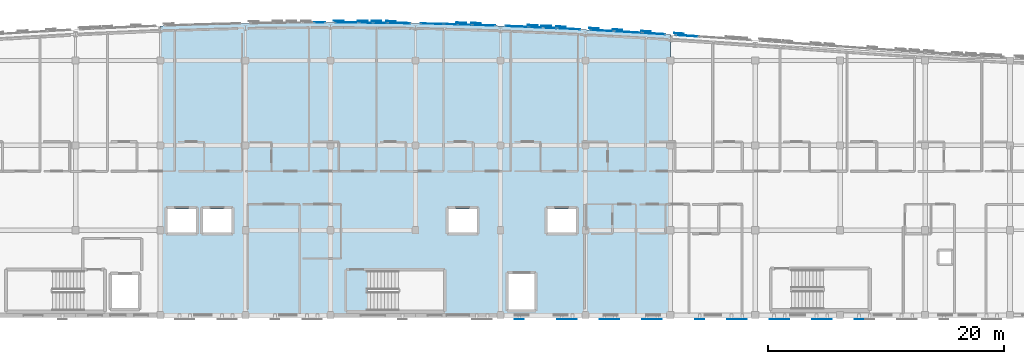
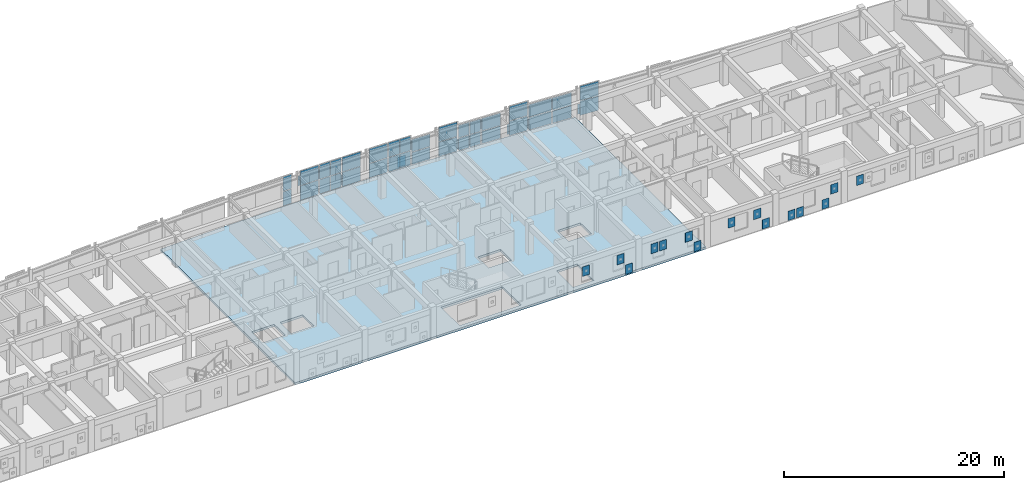
# One storey, part 35 of 51: 62 plates, 1 slab, 14 elements without a shape of their own.
"""IFC4 building model written with IfcOpenShell, lengths in metres."""

from ifc_helpers import new_model, si_unit, direction, frame, origin, origin_2d, place, context, subcontext, project, spatial, polyline, rectangle, outline, extrude, material, layer, layer_set, type_object, element, aggregate, save


model = new_model("IFC4")

# Units and contexts
model_context = context("Model", 3, precision=1e-05, world=origin(), true_north=direction((0.0, 1.0)))
body_context = subcontext(model_context, "Body", "Model", "MODEL_VIEW")
ifc_project = project(units=[si_unit("LENGTHUNIT", "METRE"), si_unit("AREAUNIT", "SQUARE_METRE"), si_unit("VOLUMEUNIT", "CUBIC_METRE"), si_unit("PLANEANGLEUNIT", "RADIAN"), si_unit("MASSUNIT", "GRAM", prefix="KILO")], contexts=[model_context])

# Site, building, storey
site_placement = place(None, origin())
site = spatial("IfcSite", under=ifc_project, at=site_placement, CompositionType="ELEMENT")
building_placement = place(site_placement, origin())
building = spatial("IfcBuilding", under=site, at=building_placement, Name="Carrowvane Square Congress Hotel", CompositionType="ELEMENT")
storey_placement = place(building_placement, frame((0.0, 0.0, 30.0)))
storey = spatial("IfcBuildingStorey", under=building, at=storey_placement, Name="L07", CompositionType="ELEMENT", Elevation=30.0)

# Curtain wall, plates
ifc_material_1 = material(Name="Anodised aluminium", Category="aluminium")
ifc_layer_1 = layer(ifc_material_1, 0.197998046875)
ifc_layer_set_1 = layer_set([ifc_layer_1], Name="Anodised aluminium")
curtain_wall_type_1 = type_object("IfcCurtainWallType", Name="CW-SYS-4", PredefinedType="NOTDEFINED", material=ifc_layer_set_1)
curtain_wall_1_placement = place(storey_placement, origin())
curtain_wall_1 = element("IfcCurtainWall", 1, at=curtain_wall_1_placement, inside=storey, type_object=curtain_wall_type_1, Name="L07 unitised curtain wall 435", PredefinedType="NOTDEFINED")
ifc_material_2 = material(Name="Double-glazed low-E glass", Category="glass")
ifc_layer_2 = layer(ifc_material_2, 0.028076171875)
ifc_layer_set_2 = layer_set([ifc_layer_2], Name="Double-glazed low-E glass")
plate_type_1 = type_object("IfcPlateType", Name="CW-PAN-1", PredefinedType="CURTAIN_PANEL", material=ifc_layer_set_2)
plate_1_placement = place(storey_placement, frame((106.59619140625, 116.498291015625, 0.06982421875), z_axis=(0.0, 0.0, 1.0), x_axis=(0.99974644475, -0.022517686606, 0.0)))
plate_1 = element("IfcPlate", 2, at=plate_1_placement, type_object=plate_type_1, Name="CW-4 panel 1.1", PredefinedType="CURTAIN_PANEL", context=body_context, shape_type="SweptSolid", body=[
    extrude(rectangle(XDim=1.8681640625, YDim=0.028076171875, at=origin_2d()), origin(), (0.0, 0.0, 1.0), 1.574951171875),
])
plate_2_placement = place(storey_placement, frame((106.59619140625, 116.498291015625, 1.71484375), z_axis=(0.0, 0.0, 1.0), x_axis=(0.99974644475, -0.022517686606, 0.0)))
plate_2 = element("IfcPlate", 3, at=plate_2_placement, type_object=plate_type_1, Name="CW-4 panel 1.2", PredefinedType="CURTAIN_PANEL", context=body_context, shape_type="SweptSolid", body=[
    extrude(rectangle(XDim=1.8681640625, YDim=0.028076171875, at=origin_2d()), origin(), (0.0, 0.0, 1.0), 1.574951171875),
])
aggregate(curtain_wall_1, [plate_1, plate_2])

ifc_material_3 = material(Name="Anodised aluminium", Category="aluminium")
ifc_layer_3 = layer(ifc_material_3, 0.162109375)
ifc_layer_set_3 = layer_set([ifc_layer_3], Name="Anodised aluminium")
curtain_wall_type_2 = type_object("IfcCurtainWallType", Name="CW-SYS-1", PredefinedType="NOTDEFINED", material=ifc_layer_set_3)
curtain_wall_2_placement = place(storey_placement, origin())
curtain_wall_2 = element("IfcCurtainWall", 4, at=curtain_wall_2_placement, inside=storey, type_object=curtain_wall_type_2, Name="L07 unitised curtain wall 440", PredefinedType="NOTDEFINED")
plate_3_placement = place(storey_placement, frame((118.2177734375, 116.067138671875, 0.06005859375), z_axis=(0.0, 0.0, 1.0), x_axis=(0.998732955299, -0.050323791596, 0.0)))
plate_3 = element("IfcPlate", 5, at=plate_3_placement, type_object=plate_type_1, Name="CW-1 panel 1.1", PredefinedType="CURTAIN_PANEL", context=body_context, shape_type="SweptSolid", body=[
    extrude(rectangle(XDim=1.91796875, YDim=0.028076171875, at=origin_2d()), origin(), (0.0, 0.0, 1.0), 1.377685546875),
])
plate_4_placement = place(storey_placement, frame((118.2177734375, 116.067138671875, 1.498046875), z_axis=(0.0, 0.0, 1.0), x_axis=(0.998732955299, -0.050323791596, 0.0)))
plate_4 = element("IfcPlate", 6, at=plate_4_placement, type_object=plate_type_1, Name="CW-1 panel 1.2", PredefinedType="CURTAIN_PANEL", context=body_context, shape_type="SweptSolid", body=[
    extrude(rectangle(XDim=1.91796875, YDim=0.028076171875, at=origin_2d()), origin(), (0.0, 0.0, 1.0), 1.377685546875),
])
aggregate(curtain_wall_2, [plate_3, plate_4])

ifc_material_4 = material(Name="Anodised aluminium", Category="aluminium")
ifc_layer_4 = layer(ifc_material_4, 0.24609375)
ifc_layer_set_4 = layer_set([ifc_layer_4], Name="Anodised aluminium")
curtain_wall_type_3 = type_object("IfcCurtainWallType", Name="CW-SYS-8", PredefinedType="NOTDEFINED", material=ifc_layer_set_4)
curtain_wall_3_placement = place(storey_placement, origin())
curtain_wall_3 = element("IfcCurtainWall", 7, at=curtain_wall_3_placement, inside=storey, type_object=curtain_wall_type_3, Name="L07 unitised curtain wall 431", PredefinedType="NOTDEFINED")
ifc_material_5 = material(Name="Double-glazed low-E glass", Category="glass")
ifc_layer_5 = layer(ifc_material_5, 0.031982421875)
ifc_layer_set_5 = layer_set([ifc_layer_5], Name="Double-glazed low-E glass")
plate_type_2 = type_object("IfcPlateType", Name="CW-PAN-2", PredefinedType="CURTAIN_PANEL", material=ifc_layer_set_5)
plate_5_placement = place(storey_placement, frame((97.09375, 116.596923828125, 0.06982421875), z_axis=(0.0, 0.0, 1.0), x_axis=(0.999994652529, 0.003270307911, 0.0)))
plate_5 = element("IfcPlate", 8, at=plate_5_placement, type_object=plate_type_2, Name="CW-8 panel 2.1", PredefinedType="CURTAIN_PANEL", context=body_context, shape_type="SweptSolid", body=[
    extrude(rectangle(XDim=0.902587890625, YDim=0.031982421875, at=origin_2d()), origin(), (0.0, 0.0, 1.0), 1.574951171875),
])
plate_6_placement = place(storey_placement, frame((97.09375, 116.596923828125, 1.71484375), z_axis=(0.0, 0.0, 1.0), x_axis=(0.999994652529, 0.003270307911, 0.0)))
plate_6 = element("IfcPlate", 9, at=plate_6_placement, type_object=plate_type_2, Name="CW-8 panel 2.2", PredefinedType="CURTAIN_PANEL", context=body_context, shape_type="SweptSolid", body=[
    extrude(rectangle(XDim=0.902587890625, YDim=0.031982421875, at=origin_2d()), origin(), (0.0, 0.0, 1.0), 1.574951171875),
])
aggregate(curtain_wall_3, [plate_5, plate_6])

ifc_material_6 = material(Name="Anodised aluminium", Category="aluminium")
ifc_layer_6 = layer(ifc_material_6, 0.2099609375)
ifc_layer_set_6 = layer_set([ifc_layer_6], Name="Anodised aluminium")
curtain_wall_type_4 = type_object("IfcCurtainWallType", Name="CW-SYS-5", PredefinedType="NOTDEFINED", material=ifc_layer_set_6)
curtain_wall_4_placement = place(storey_placement, origin())
curtain_wall_4 = element("IfcCurtainWall", 10, at=curtain_wall_4_placement, inside=storey, type_object=curtain_wall_type_4, Name="L07 unitised curtain wall 436", PredefinedType="NOTDEFINED")
plate_7_placement = place(storey_placement, frame((108.215087890625, 116.4580078125, 0.06005859375), z_axis=(0.0, 0.0, 1.0), x_axis=(0.999589848065, -0.028638010501, 0.0)))
plate_7 = element("IfcPlate", 11, at=plate_7_placement, type_object=plate_type_2, Name="CW-5 panel 1.1", PredefinedType="CURTAIN_PANEL", context=body_context, shape_type="SweptSolid", body=[
    extrude(rectangle(XDim=1.110595703125, YDim=0.031982421875, at=origin_2d()), origin(), (0.0, 0.0, 1.0), 1.590087890625),
])
plate_8_placement = place(storey_placement, frame((108.215087890625, 116.4580078125, 1.7099609375), z_axis=(0.0, 0.0, 1.0), x_axis=(0.999589848065, -0.028638010501, 0.0)))
plate_8 = element("IfcPlate", 12, at=plate_8_placement, type_object=plate_type_2, Name="CW-5 panel 1.2", PredefinedType="CURTAIN_PANEL", context=body_context, shape_type="SweptSolid", body=[
    extrude(rectangle(XDim=1.110595703125, YDim=0.031982421875, at=origin_2d()), origin(), (0.0, 0.0, 1.0), 1.590087890625),
])
plate_9_placement = place(storey_placement, frame((109.385009765625, 116.424560546875, 0.06005859375), z_axis=(0.0, 0.0, 1.0), x_axis=(0.999589848065, -0.028638010501, 0.0)))
plate_9 = element("IfcPlate", 13, at=plate_9_placement, type_object=plate_type_2, Name="CW-5 panel 2.1", PredefinedType="CURTAIN_PANEL", context=body_context, shape_type="SweptSolid", body=[
    extrude(rectangle(XDim=1.110595703125, YDim=0.031982421875, at=origin_2d()), origin(), (0.0, 0.0, 1.0), 1.590087890625),
])
plate_10_placement = place(storey_placement, frame((109.385009765625, 116.424560546875, 1.7099609375), z_axis=(0.0, 0.0, 1.0), x_axis=(0.999589848065, -0.028638010501, 0.0)))
plate_10 = element("IfcPlate", 14, at=plate_10_placement, type_object=plate_type_2, Name="CW-5 panel 2.2", PredefinedType="CURTAIN_PANEL", context=body_context, shape_type="SweptSolid", body=[
    extrude(rectangle(XDim=1.110595703125, YDim=0.031982421875, at=origin_2d()), origin(), (0.0, 0.0, 1.0), 1.590087890625),
])
aggregate(curtain_wall_4, [plate_7, plate_8, plate_9, plate_10])

ifc_material_7 = material(Name="Anodised aluminium", Category="aluminium")
ifc_layer_7 = layer(ifc_material_7, 0.174072265625)
ifc_layer_set_7 = layer_set([ifc_layer_7], Name="Anodised aluminium")
curtain_wall_type_5 = type_object("IfcCurtainWallType", Name="CW-SYS-2", PredefinedType="NOTDEFINED", material=ifc_layer_set_7)
curtain_wall_5_placement = place(storey_placement, origin())
curtain_wall_5 = element("IfcCurtainWall", 15, at=curtain_wall_5_placement, inside=storey, type_object=curtain_wall_type_5, Name="L07 unitised curtain wall 441", PredefinedType="NOTDEFINED")
plate_11_placement = place(storey_placement, frame((121.002197265625, 115.920654296875, 0.06982421875), z_axis=(0.0, 0.0, 1.0), x_axis=(0.998496473856, -0.054815980317, 0.0)))
plate_11 = element("IfcPlate", 16, at=plate_11_placement, type_object=plate_type_2, Name="CW-2 panel 1.1", PredefinedType="CURTAIN_PANEL", context=body_context, shape_type="SweptSolid", body=[
    extrude(rectangle(XDim=1.8583984375, YDim=0.031982421875, at=origin_2d()), origin(), (0.0, 0.0, 1.0), 1.574951171875),
])
plate_12_placement = place(storey_placement, frame((121.002197265625, 115.920654296875, 1.71484375), z_axis=(0.0, 0.0, 1.0), x_axis=(0.998496473856, -0.054815980317, 0.0)))
plate_12 = element("IfcPlate", 17, at=plate_12_placement, type_object=plate_type_2, Name="CW-2 panel 1.2", PredefinedType="CURTAIN_PANEL", context=body_context, shape_type="SweptSolid", body=[
    extrude(rectangle(XDim=1.8583984375, YDim=0.031982421875, at=origin_2d()), origin(), (0.0, 0.0, 1.0), 1.574951171875),
])
aggregate(curtain_wall_5, [plate_11, plate_12])

curtain_wall_6_placement = place(storey_placement, origin())
curtain_wall_6 = element("IfcCurtainWall", 18, at=curtain_wall_6_placement, inside=storey, type_object=curtain_wall_type_2, Name="L07 unitised curtain wall 432", PredefinedType="NOTDEFINED")
ifc_material_8 = material(Name="Double-glazed low-E glass", Category="glass")
ifc_layer_8 = layer(ifc_material_8, 0.035888671875)
ifc_layer_set_8 = layer_set([ifc_layer_8], Name="Double-glazed low-E glass")
plate_type_3 = type_object("IfcPlateType", Name="CW-PAN-3", PredefinedType="CURTAIN_PANEL", material=ifc_layer_set_8)
plate_13_placement = place(storey_placement, frame((99.392333984375, 116.595458984375, 0.06005859375), z_axis=(0.0, 0.0, 1.0), x_axis=(0.999994652529, -0.003270307911, 0.0)))
plate_13 = element("IfcPlate", 19, at=plate_13_placement, type_object=plate_type_3, Name="CW-1 panel 1.1", PredefinedType="CURTAIN_PANEL", context=body_context, shape_type="SweptSolid", body=[
    extrude(rectangle(XDim=1.89501953125, YDim=0.035888671875, at=origin_2d()), origin(), (0.0, 0.0, 1.0), 1.590087890625),
])
plate_14_placement = place(storey_placement, frame((99.392333984375, 116.595458984375, 1.7099609375), z_axis=(0.0, 0.0, 1.0), x_axis=(0.999994652529, -0.003270307911, 0.0)))
plate_14 = element("IfcPlate", 20, at=plate_14_placement, type_object=plate_type_3, Name="CW-1 panel 1.2", PredefinedType="CURTAIN_PANEL", context=body_context, shape_type="SweptSolid", body=[
    extrude(rectangle(XDim=1.89501953125, YDim=0.035888671875, at=origin_2d()), origin(), (0.0, 0.0, 1.0), 1.590087890625),
])
aggregate(curtain_wall_6, [plate_13, plate_14])

ifc_material_9 = material(Name="Anodised aluminium", Category="aluminium")
ifc_layer_9 = layer(ifc_material_9, 0.221923828125)
ifc_layer_set_9 = layer_set([ifc_layer_9], Name="Anodised aluminium")
curtain_wall_type_6 = type_object("IfcCurtainWallType", Name="CW-SYS-6", PredefinedType="NOTDEFINED", material=ifc_layer_set_9)
curtain_wall_7_placement = place(storey_placement, origin())
curtain_wall_7 = element("IfcCurtainWall", 21, at=curtain_wall_7_placement, inside=storey, type_object=curtain_wall_type_6, Name="L07 unitised curtain wall 437", PredefinedType="NOTDEFINED")
plate_15_placement = place(storey_placement, frame((111.0146484375, 116.371826171875, 0.070068359375), z_axis=(0.0, 0.0, 1.0), x_axis=(0.999403663525, -0.034529948347, 0.0)))
plate_15 = element("IfcPlate", 22, at=plate_15_placement, type_object=plate_type_3, Name="CW-6 panel 1.1", PredefinedType="CURTAIN_PANEL", context=body_context, shape_type="SweptSolid", body=[
    extrude(rectangle(XDim=1.890625, YDim=0.035888671875, at=origin_2d()), origin(), (0.0, 0.0, 1.0), 1.36279296875),
])
plate_16_placement = place(storey_placement, frame((111.0146484375, 116.371826171875, 1.502685546875), z_axis=(0.0, 0.0, 1.0), x_axis=(0.999403663525, -0.034529948347, 0.0)))
plate_16 = element("IfcPlate", 23, at=plate_16_placement, type_object=plate_type_3, Name="CW-6 panel 1.2", PredefinedType="CURTAIN_PANEL", context=body_context, shape_type="SweptSolid", body=[
    extrude(rectangle(XDim=1.890625, YDim=0.035888671875, at=origin_2d()), origin(), (0.0, 0.0, 1.0), 1.36279296875),
])
aggregate(curtain_wall_7, [plate_15, plate_16])

ifc_material_10 = material(Name="Anodised aluminium", Category="aluminium")
ifc_layer_10 = layer(ifc_material_10, 0.18603515625)
ifc_layer_set_10 = layer_set([ifc_layer_10], Name="Anodised aluminium")
curtain_wall_type_7 = type_object("IfcCurtainWallType", Name="CW-SYS-3", PredefinedType="NOTDEFINED", material=ifc_layer_set_10)
curtain_wall_8_placement = place(storey_placement, origin())
curtain_wall_8 = element("IfcCurtainWall", 24, at=curtain_wall_8_placement, inside=storey, type_object=curtain_wall_type_7, Name="L07 unitised curtain wall 442", PredefinedType="NOTDEFINED")
plate_17_placement = place(storey_placement, frame((123.199951171875, 115.795166015625, 0.06005859375), z_axis=(0.0, 0.0, 1.0), x_axis=(0.998266763162, -0.058851249486, 0.0)))
plate_17 = element("IfcPlate", 25, at=plate_17_placement, type_object=plate_type_3, Name="CW-3 panel 1.1", PredefinedType="CURTAIN_PANEL", context=body_context, shape_type="SweptSolid", body=[
    extrude(rectangle(XDim=2.2841796875, YDim=0.035888671875, at=origin_2d()), origin(), (0.0, 0.0, 1.0), 1.377685546875),
])
plate_18_placement = place(storey_placement, frame((123.199951171875, 115.795166015625, 1.498046875), z_axis=(0.0, 0.0, 1.0), x_axis=(0.998266763162, -0.058851249486, 0.0)))
plate_18 = element("IfcPlate", 26, at=plate_18_placement, type_object=plate_type_3, Name="CW-3 panel 1.2", PredefinedType="CURTAIN_PANEL", context=body_context, shape_type="SweptSolid", body=[
    extrude(rectangle(XDim=2.2841796875, YDim=0.035888671875, at=origin_2d()), origin(), (0.0, 0.0, 1.0), 1.377685546875),
])
aggregate(curtain_wall_8, [plate_17, plate_18])

curtain_wall_9_placement = place(storey_placement, origin())
curtain_wall_9 = element("IfcCurtainWall", 27, at=curtain_wall_9_placement, inside=storey, type_object=curtain_wall_type_5, Name="L07 unitised curtain wall 433", PredefinedType="NOTDEFINED")
ifc_material_11 = material(Name="Double-glazed low-E glass", Category="glass")
ifc_layer_11 = layer(ifc_material_11, 0.0419921875)
ifc_layer_set_11 = layer_set([ifc_layer_11], Name="Double-glazed low-E glass")
plate_type_4 = type_object("IfcPlateType", Name="CW-PAN-4", PredefinedType="CURTAIN_PANEL", material=ifc_layer_set_11)
plate_19_placement = place(storey_placement, frame((101.017578125, 116.586181640625, 0.06982421875), z_axis=(0.0, 0.0, 1.0), x_axis=(0.999952146231, -0.009782905924, 0.0)))
plate_19 = element("IfcPlate", 28, at=plate_19_placement, type_object=plate_type_4, Name="CW-2 panel 1.1", PredefinedType="CURTAIN_PANEL", context=body_context, shape_type="SweptSolid", body=[
    extrude(rectangle(XDim=1.094970703125, YDim=0.0419921875, at=origin_2d()), origin(), (0.0, 0.0, 1.0), 1.574951171875),
])
plate_20_placement = place(storey_placement, frame((101.017578125, 116.586181640625, 1.71484375), z_axis=(0.0, 0.0, 1.0), x_axis=(0.999952146231, -0.009782905924, 0.0)))
plate_20 = element("IfcPlate", 29, at=plate_20_placement, type_object=plate_type_4, Name="CW-2 panel 1.2", PredefinedType="CURTAIN_PANEL", context=body_context, shape_type="SweptSolid", body=[
    extrude(rectangle(XDim=1.094970703125, YDim=0.0419921875, at=origin_2d()), origin(), (0.0, 0.0, 1.0), 1.574951171875),
])
plate_21_placement = place(storey_placement, frame((102.182373046875, 116.57470703125, 0.06982421875), z_axis=(0.0, 0.0, 1.0), x_axis=(0.999952146231, -0.009782905924, 0.0)))
plate_21 = element("IfcPlate", 30, at=plate_21_placement, type_object=plate_type_4, Name="CW-2 panel 2.1", PredefinedType="CURTAIN_PANEL", context=body_context, shape_type="SweptSolid", body=[
    extrude(rectangle(XDim=1.094970703125, YDim=0.0419921875, at=origin_2d()), origin(), (0.0, 0.0, 1.0), 1.574951171875),
])
plate_22_placement = place(storey_placement, frame((102.182373046875, 116.57470703125, 1.71484375), z_axis=(0.0, 0.0, 1.0), x_axis=(0.999952146231, -0.009782905924, 0.0)))
plate_22 = element("IfcPlate", 31, at=plate_22_placement, type_object=plate_type_4, Name="CW-2 panel 2.2", PredefinedType="CURTAIN_PANEL", context=body_context, shape_type="SweptSolid", body=[
    extrude(rectangle(XDim=1.094970703125, YDim=0.0419921875, at=origin_2d()), origin(), (0.0, 0.0, 1.0), 1.574951171875),
])
aggregate(curtain_wall_9, [plate_19, plate_20, plate_21, plate_22])

ifc_material_12 = material(Name="Anodised aluminium", Category="aluminium")
ifc_layer_12 = layer(ifc_material_12, 0.23388671875)
ifc_layer_set_12 = layer_set([ifc_layer_12], Name="Anodised aluminium")
curtain_wall_type_8 = type_object("IfcCurtainWallType", Name="CW-SYS-7", PredefinedType="NOTDEFINED", material=ifc_layer_set_12)
curtain_wall_10_placement = place(storey_placement, origin())
curtain_wall_10 = element("IfcCurtainWall", 32, at=curtain_wall_10_placement, inside=storey, type_object=curtain_wall_type_8, Name="L07 unitised curtain wall 438", PredefinedType="NOTDEFINED")
plate_23_placement = place(storey_placement, frame((113.79931640625, 116.267822265625, 0.06005859375), z_axis=(0.0, 0.0, 1.0), x_axis=(0.999194428656, -0.040130957403, 0.0)))
plate_23 = element("IfcPlate", 33, at=plate_23_placement, type_object=plate_type_4, Name="CW-7 panel 1.1", PredefinedType="CURTAIN_PANEL", context=body_context, shape_type="SweptSolid", body=[
    extrude(rectangle(XDim=1.8828125, YDim=0.0419921875, at=origin_2d()), origin(), (0.0, 0.0, 1.0), 1.590087890625),
])
plate_24_placement = place(storey_placement, frame((113.79931640625, 116.267822265625, 1.7099609375), z_axis=(0.0, 0.0, 1.0), x_axis=(0.999194428656, -0.040130957403, 0.0)))
plate_24 = element("IfcPlate", 34, at=plate_24_placement, type_object=plate_type_4, Name="CW-7 panel 1.2", PredefinedType="CURTAIN_PANEL", context=body_context, shape_type="SweptSolid", body=[
    extrude(rectangle(XDim=1.8828125, YDim=0.0419921875, at=origin_2d()), origin(), (0.0, 0.0, 1.0), 1.590087890625),
])
aggregate(curtain_wall_10, [plate_23, plate_24])

curtain_wall_11_placement = place(storey_placement, origin())
curtain_wall_11 = element("IfcCurtainWall", 35, at=curtain_wall_11_placement, inside=storey, type_object=curtain_wall_type_1, Name="L07 unitised curtain wall 443", PredefinedType="NOTDEFINED")
plate_25_placement = place(storey_placement, frame((125.419921875, 115.66064453125, 0.070068359375), z_axis=(0.0, 0.0, 1.0), x_axis=(0.998051398046, -0.062397170272, 0.0)))
plate_25 = element("IfcPlate", 36, at=plate_25_placement, type_object=plate_type_4, Name="CW-4 panel 1.1", PredefinedType="CURTAIN_PANEL", context=body_context, shape_type="SweptSolid", body=[
    extrude(rectangle(XDim=1.904052734375, YDim=0.0419921875, at=origin_2d()), origin(), (0.0, 0.0, 1.0), 1.36279296875),
])
plate_26_placement = place(storey_placement, frame((125.419921875, 115.66064453125, 1.502685546875), z_axis=(0.0, 0.0, 1.0), x_axis=(0.998051398046, -0.062397170272, 0.0)))
plate_26 = element("IfcPlate", 37, at=plate_26_placement, type_object=plate_type_4, Name="CW-4 panel 1.2", PredefinedType="CURTAIN_PANEL", context=body_context, shape_type="SweptSolid", body=[
    extrude(rectangle(XDim=1.904052734375, YDim=0.0419921875, at=origin_2d()), origin(), (0.0, 0.0, 1.0), 1.36279296875),
])
aggregate(curtain_wall_11, [plate_25, plate_26])

curtain_wall_12_placement = place(storey_placement, origin())
curtain_wall_12 = element("IfcCurtainWall", 38, at=curtain_wall_12_placement, inside=storey, type_object=curtain_wall_type_7, Name="L07 unitised curtain wall 434", PredefinedType="NOTDEFINED")
ifc_material_13 = material(Name="Double-glazed low-E glass", Category="glass")
ifc_layer_13 = layer(ifc_material_13, 0.048095703125)
ifc_layer_set_13 = layer_set([ifc_layer_13], Name="Double-glazed low-E glass")
plate_type_5 = type_object("IfcPlateType", Name="CW-PAN-5", PredefinedType="CURTAIN_PANEL", material=ifc_layer_set_13)
plate_27_placement = place(storey_placement, frame((103.811279296875, 116.55224609375, 0.06005859375), z_axis=(0.0, 0.0, 1.0), x_axis=(0.99986851233, -0.016215981364, 0.0)))
plate_27 = element("IfcPlate", 39, at=plate_27_placement, type_object=plate_type_5, Name="CW-3 panel 1.1", PredefinedType="CURTAIN_PANEL", context=body_context, shape_type="SweptSolid", body=[
    extrude(rectangle(XDim=1.902587890625, YDim=0.048095703125, at=origin_2d()), origin(), (0.0, 0.0, 1.0), 1.590087890625),
])
plate_28_placement = place(storey_placement, frame((103.811279296875, 116.55224609375, 1.7099609375), z_axis=(0.0, 0.0, 1.0), x_axis=(0.99986851233, -0.016215981364, 0.0)))
plate_28 = element("IfcPlate", 40, at=plate_28_placement, type_object=plate_type_5, Name="CW-3 panel 1.2", PredefinedType="CURTAIN_PANEL", context=body_context, shape_type="SweptSolid", body=[
    extrude(rectangle(XDim=1.902587890625, YDim=0.048095703125, at=origin_2d()), origin(), (0.0, 0.0, 1.0), 1.590087890625),
])
aggregate(curtain_wall_12, [plate_27, plate_28])

curtain_wall_13_placement = place(storey_placement, origin())
curtain_wall_13 = element("IfcCurtainWall", 41, at=curtain_wall_13_placement, inside=storey, type_object=curtain_wall_type_3, Name="L07 unitised curtain wall 439", PredefinedType="NOTDEFINED")
plate_29_placement = place(storey_placement, frame((115.41748046875, 116.199462890625, 0.070068359375), z_axis=(0.0, 0.0, 1.0), x_axis=(0.998968385726, -0.045411059449, 0.0)))
plate_29 = element("IfcPlate", 42, at=plate_29_placement, type_object=plate_type_5, Name="CW-8 panel 1.1", PredefinedType="CURTAIN_PANEL", context=body_context, shape_type="SweptSolid", body=[
    extrude(rectangle(XDim=1.09619140625, YDim=0.048095703125, at=origin_2d()), origin(), (0.0, 0.0, 1.0), 1.36279296875),
])
plate_30_placement = place(storey_placement, frame((115.41748046875, 116.199462890625, 1.502685546875), z_axis=(0.0, 0.0, 1.0), x_axis=(0.998968385726, -0.045411059449, 0.0)))
plate_30 = element("IfcPlate", 43, at=plate_30_placement, type_object=plate_type_5, Name="CW-8 panel 1.2", PredefinedType="CURTAIN_PANEL", context=body_context, shape_type="SweptSolid", body=[
    extrude(rectangle(XDim=1.09619140625, YDim=0.048095703125, at=origin_2d()), origin(), (0.0, 0.0, 1.0), 1.36279296875),
])
plate_31_placement = place(storey_placement, frame((116.58251953125, 116.146484375, 0.070068359375), z_axis=(0.0, 0.0, 1.0), x_axis=(0.998968385726, -0.045411059449, 0.0)))
plate_31 = element("IfcPlate", 44, at=plate_31_placement, type_object=plate_type_5, Name="CW-8 panel 2.1", PredefinedType="CURTAIN_PANEL", context=body_context, shape_type="SweptSolid", body=[
    extrude(rectangle(XDim=1.09619140625, YDim=0.048095703125, at=origin_2d()), origin(), (0.0, 0.0, 1.0), 1.36279296875),
])
plate_32_placement = place(storey_placement, frame((116.58251953125, 116.146484375, 1.502685546875), z_axis=(0.0, 0.0, 1.0), x_axis=(0.998968385726, -0.045411059449, 0.0)))
plate_32 = element("IfcPlate", 45, at=plate_32_placement, type_object=plate_type_5, Name="CW-8 panel 2.2", PredefinedType="CURTAIN_PANEL", context=body_context, shape_type="SweptSolid", body=[
    extrude(rectangle(XDim=1.09619140625, YDim=0.048095703125, at=origin_2d()), origin(), (0.0, 0.0, 1.0), 1.36279296875),
])
aggregate(curtain_wall_13, [plate_29, plate_30, plate_31, plate_32])

curtain_wall_14_placement = place(storey_placement, origin())
curtain_wall_14 = element("IfcCurtainWall", 46, at=curtain_wall_14_placement, inside=storey, type_object=curtain_wall_type_4, Name="L07 unitised curtain wall 444", PredefinedType="NOTDEFINED")
plate_33_placement = place(storey_placement, frame((128.204345703125, 115.482177734375, 0.06005859375), z_axis=(0.0, 0.0, 1.0), x_axis=(0.9978582145, -0.065413941589, 0.0)))
plate_33 = element("IfcPlate", 47, at=plate_33_placement, type_object=plate_type_5, Name="CW-5 panel 1.1", PredefinedType="CURTAIN_PANEL", context=body_context, shape_type="SweptSolid", body=[
    extrude(rectangle(XDim=1.8759765625, YDim=0.048095703125, at=origin_2d()), origin(), (0.0, 0.0, 1.0), 1.590087890625),
])
plate_34_placement = place(storey_placement, frame((128.204345703125, 115.482177734375, 1.7099609375), z_axis=(0.0, 0.0, 1.0), x_axis=(0.9978582145, -0.065413941589, 0.0)))
plate_34 = element("IfcPlate", 48, at=plate_34_placement, type_object=plate_type_5, Name="CW-5 panel 1.2", PredefinedType="CURTAIN_PANEL", context=body_context, shape_type="SweptSolid", body=[
    extrude(rectangle(XDim=1.8759765625, YDim=0.048095703125, at=origin_2d()), origin(), (0.0, 0.0, 1.0), 1.590087890625),
])
aggregate(curtain_wall_14, [plate_33, plate_34])

# Plates
ifc_material_14 = material(Name="Champagne-gold anodised aluminium", Category="aluminium")
ifc_layer_14 = layer(ifc_material_14, 0.011962890625)
ifc_layer_set_14 = layer_set([ifc_layer_14], Name="Champagne-gold anodised aluminium")
plate_type_6 = type_object("IfcPlateType", Name="PLT-PIX-GOLD12", PredefinedType="SHEET", material=ifc_layer_set_14)
for number, where, z_axis, x_axis, name in (
    (49, (100.726318359375, 116.7548828125, 1.58984375), (0.0, 0.0, 1.0), (0.999952150705, -0.009782448565, 0.0), "Champagne-gold pixel screen plate 667"),
    (50, (101.891357421875, 116.74365234375, 1.58984375), (0.0, 0.0, 1.0), (0.999952150705, -0.009782448565, 0.0), "Champagne-gold pixel screen plate 668"),
    (51, (110.330322265625, 116.5615234375, 1.58984375), (0.0, 0.0, 1.0), (0.999403768784, -0.034526901703, 0.0), "Champagne-gold pixel screen plate 671"),
    (52, (115.132080078125, 116.378662109375, 0.119873046875), (0.0, 0.0, 1.0), (0.998968255262, -0.045413929349, 0.0), "Champagne-gold pixel screen plate 672"),
    (53, (116.297119140625, 116.32568359375, 0.119873046875), (0.0, 0.0, 1.0), (0.998968255262, -0.045413929349, 0.0), "Champagne-gold pixel screen plate 673"),
    (54, (120.337890625, 116.123291015625, 0.119873046875), (0.0, 0.0, 1.0), (0.998496552462, -0.054814548441, 0.0), "Champagne-gold pixel screen plate 675"),
    (55, (124.734619140625, 115.86962890625, 1.58984375), (0.0, 0.0, 1.0), (0.998051413269, -0.062396926785, 0.0), "Champagne-gold pixel screen plate 677"),
):
    element("IfcPlate", number, at=place(storey_placement, frame(where, z_axis=z_axis, x_axis=x_axis)), inside=storey, type_object=plate_type_6, Name=name, PredefinedType="SHEET", context=body_context, shape_type="SweptSolid", body=[
        extrude(rectangle(XDim=0.827880859375, YDim=0.011962890625, at=origin_2d()), origin(), (0.0, 0.0, 1.0), 1.1201171875),
    ])
for number, where, z_axis, x_axis, name in (
    (56, (140.10009765625, 91.4541015625, 1.52490234375), (0.0, 0.0, 1.0), (-1.0, 0.0, 0.0), "Champagne-gold pixel screen plate S-710"),
    (57, (139.199951171875, 91.4541015625, 0.15478515625), (0.0, 0.0, 1.0), (-1.0, 0.0, 0.0), "Champagne-gold pixel screen plate S-711"),
    (58, (136.5, 91.4541015625, 0.15478515625), (0.0, 0.0, 1.0), (-1.0, 0.0, 0.0), "Champagne-gold pixel screen plate S-712"),
    (59, (135.60009765625, 91.4541015625, 0.15478515625), (0.0, 0.0, 1.0), (-1.0, 0.0, 0.0), "Champagne-gold pixel screen plate S-713"),
    (60, (125.699951171875, 91.4541015625, 0.15478515625), (0.0, 0.0, 1.0), (-1.0, 0.0, 0.0), "Champagne-gold pixel screen plate S-717"),
    (61, (124.800048828125, 91.4541015625, 1.52490234375), (0.0, 0.0, 1.0), (-1.0, 0.0, 0.0), "Champagne-gold pixel screen plate S-718"),
    (62, (122.10009765625, 91.4541015625, 1.52490234375), (0.0, 0.0, 1.0), (-1.0, 0.0, 0.0), "Champagne-gold pixel screen plate S-719"),
    (63, (121.199951171875, 91.4541015625, 1.52490234375), (0.0, 0.0, 1.0), (-1.0, 0.0, 0.0), "Champagne-gold pixel screen plate S-720"),
):
    element("IfcPlate", number, at=place(storey_placement, frame(where, z_axis=z_axis, x_axis=x_axis)), inside=storey, type_object=plate_type_6, Name=name, PredefinedType="SHEET", context=body_context, shape_type="SweptSolid", body=[
        extrude(rectangle(XDim=0.738037109375, YDim=0.011962890625, at=origin_2d()), origin(), (0.0, 0.0, 1.0), 1.050048828125),
    ])
ifc_material_15 = material(Name="Champagne-gold anodised aluminium", Category="aluminium")
ifc_layer_15 = layer(ifc_material_15, 0.008056640625)
ifc_layer_set_15 = layer_set([ifc_layer_15], Name="Champagne-gold anodised aluminium")
plate_type_7 = type_object("IfcPlateType", Name="PLT-PIX-GOLD8", PredefinedType="SHEET", material=ifc_layer_set_15)
for number, where, z_axis, x_axis, name in (
    (64, (98.705322265625, 116.76171875, 1.58984375), (0.0, 0.0, 1.0), (0.999994654955, -0.003269565853, 0.0), "Champagne-gold pixel screen plate 666"),
    (65, (103.122314453125, 116.7275390625, 0.119873046875), (0.0, 0.0, 1.0), (0.999868508772, -0.016216200758, 0.0), "Champagne-gold pixel screen plate 669"),
    (66, (109.094482421875, 116.596923828125, 0.119873046875), (0.0, 0.0, 1.0), (0.999589805464, -0.028639497417, 0.0), "Champagne-gold pixel screen plate 670"),
    (67, (117.527587890625, 116.26611328125, 1.58984375), (0.0, 0.0, 1.0), (0.998733066647, -0.050321581706, 0.0), "Champagne-gold pixel screen plate 674"),
    (68, (122.328857421875, 116.0107421875, 0.119873046875), (0.0, 0.0, 1.0), (0.998266695506, -0.05885239709, 0.0), "Champagne-gold pixel screen plate 676"),
    (69, (127.538330078125, 115.690185546875, 0.119873046875), (0.0, 0.0, 1.0), (0.99785825325, -0.065413350476, 0.0), "Champagne-gold pixel screen plate 678"),
):
    element("IfcPlate", number, at=place(storey_placement, frame(where, z_axis=z_axis, x_axis=x_axis)), inside=storey, type_object=plate_type_7, Name=name, PredefinedType="SHEET", context=body_context, shape_type="SweptSolid", body=[
        extrude(rectangle(XDim=0.827880859375, YDim=0.008056640625, at=origin_2d()), origin(), (0.0, 0.0, 1.0), 1.1201171875),
    ])
for number, where, z_axis, x_axis, name in (
    (70, (142.800048828125, 91.4560546875, 1.52490234375), (0.0, 0.0, 1.0), (-1.0, 0.0, 0.0), "Champagne-gold pixel screen plate S-709"),
    (71, (132.89990234375, 91.4560546875, 0.15478515625), (0.0, 0.0, 1.0), (-1.0, 0.0, 0.0), "Champagne-gold pixel screen plate S-714"),
    (72, (132.0, 91.4560546875, 1.52490234375), (0.0, 0.0, 1.0), (-1.0, 0.0, 0.0), "Champagne-gold pixel screen plate S-715"),
    (73, (129.300048828125, 91.4560546875, 1.52490234375), (0.0, 0.0, 1.0), (-1.0, 0.0, 0.0), "Champagne-gold pixel screen plate S-716"),
    (74, (118.5, 91.4560546875, 0.15478515625), (0.0, 0.0, 1.0), (-1.0, 0.0, 0.0), "Champagne-gold pixel screen plate S-721"),
    (75, (117.60009765625, 91.4560546875, 1.52490234375), (0.0, 0.0, 1.0), (-1.0, 0.0, 0.0), "Champagne-gold pixel screen plate S-722"),
    (76, (114.0, 91.4560546875, 1.52490234375), (0.0, 0.0, 1.0), (-1.0, 0.0, 0.0), "Champagne-gold pixel screen plate S-723"),
):
    element("IfcPlate", number, at=place(storey_placement, frame(where, z_axis=z_axis, x_axis=x_axis)), inside=storey, type_object=plate_type_7, Name=name, PredefinedType="SHEET", context=body_context, shape_type="SweptSolid", body=[
        extrude(rectangle(XDim=0.738037109375, YDim=0.008056640625, at=origin_2d()), origin(), (0.0, 0.0, 1.0), 1.050048828125),
    ])

# Slab
ifc_material_16 = material(Name="Concrete C35/45", Category="concrete")
ifc_layer_16 = layer(ifc_material_16, 0.25)
ifc_layer_set_16 = layer_set([ifc_layer_16], Name="Concrete C35/45")
slab_type = type_object("IfcSlabType", Name="SLB-FLR-250", PredefinedType="FLOOR", material=ifc_layer_set_16)
slab_placement = place(storey_placement, frame((0.0, 0.0, -0.25)))
element("IfcSlab", 77, at=slab_placement, inside=storey, type_object=slab_type, Name="L07 Hotel Wing slab panel 2", PredefinedType="FLOOR", context=body_context, shape_type="SweptSolid", body=[
    extrude(outline(polyline([(83.60009765625, 91.800048828125), (126.800048828125, 91.800048828125), (126.800048828125, 115.57421875), (124.39990234375, 115.724365234375), (122.0, 115.86572265625), (119.60009765625, 115.99755859375), (117.199951171875, 116.118408203125), (114.800048828125, 116.2275390625), (112.39990234375, 116.323974609375), (110.0, 116.406982421875), (107.60009765625, 116.4755859375), (105.199951171875, 116.52978515625), (102.800048828125, 116.568603515625), (100.39990234375, 116.592041015625), (98.0, 116.60009765625), (95.60009765625, 116.592041015625), (93.199951171875, 116.568603515625), (90.800048828125, 116.52978515625), (88.39990234375, 116.4755859375), (86.0, 116.406982421875), (83.60009765625, 116.323974609375), (83.60009765625, 91.800048828125)]), holes=[polyline([(101.1201171875, 92.199951171875), (107.60009765625, 92.199951171875), (107.60009765625, 95.56005859375), (101.1201171875, 95.56005859375), (101.1201171875, 92.199951171875)]), polyline([(84.199951171875, 98.800048828125), (86.60009765625, 98.800048828125), (86.60009765625, 100.800048828125), (84.199951171875, 100.800048828125), (84.199951171875, 98.800048828125)]), polyline([(87.199951171875, 98.800048828125), (89.60009765625, 98.800048828125), (89.60009765625, 100.800048828125), (87.199951171875, 100.800048828125), (87.199951171875, 98.800048828125)]), polyline([(108.0, 98.800048828125), (110.39990234375, 98.800048828125), (110.39990234375, 100.800048828125), (108.0, 100.800048828125), (108.0, 98.800048828125)]), polyline([(116.39990234375, 98.800048828125), (118.800048828125, 98.800048828125), (118.800048828125, 100.800048828125), (116.39990234375, 100.800048828125), (116.39990234375, 98.800048828125)]), polyline([(113.10009765625, 92.300048828125), (115.300048828125, 92.300048828125), (115.300048828125, 95.300048828125), (113.10009765625, 95.300048828125), (113.10009765625, 92.300048828125)])]), origin(), (0.0, 0.0, 1.0), 0.25),
])

save(model, "model.ifc")
